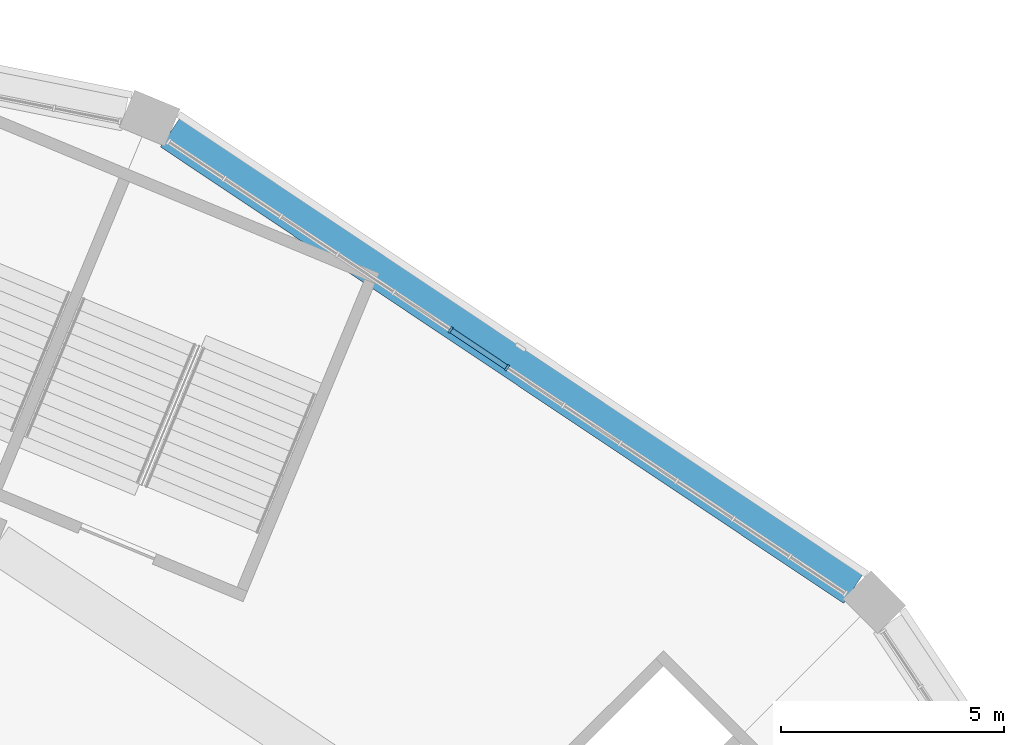
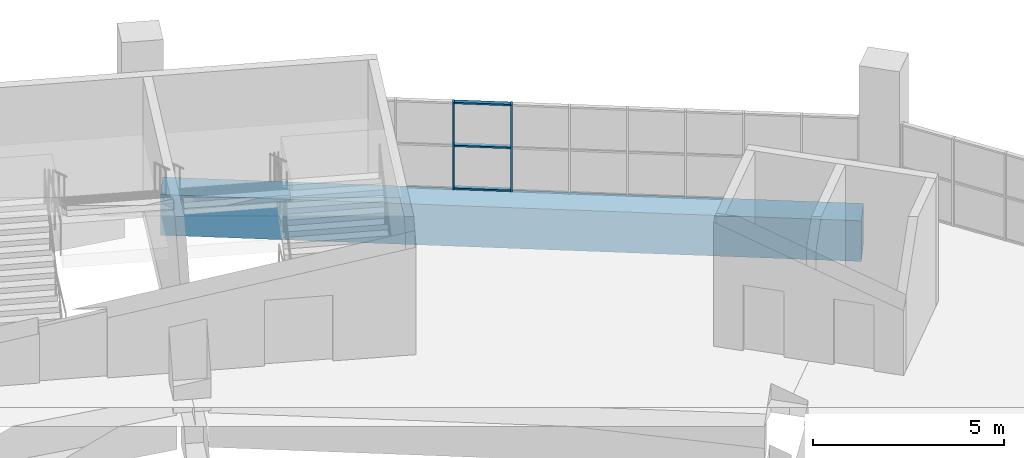
# One storey, part 54 of 199: 5 members, 1 beam, 1 element without a shape of its own.
"""IFC4 building model written with IfcOpenShell, lengths in metres."""

from ifc_helpers import new_model, si_unit, direction, frame, origin, origin_2d, place, context, subcontext, project, spatial, rectangle, extrude, material, material_profile, profile_set, type_object, element, aggregate, save


model = new_model("IFC4")

# Units and contexts
model_context = context("Model", 3, precision=1e-05, world=origin(), true_north=direction((0.0, 1.0)))
body_context = subcontext(model_context, "Body", "Model", "MODEL_VIEW")
ifc_project = project(units=[si_unit("LENGTHUNIT", "METRE"), si_unit("AREAUNIT", "SQUARE_METRE"), si_unit("VOLUMEUNIT", "CUBIC_METRE"), si_unit("PLANEANGLEUNIT", "RADIAN"), si_unit("MASSUNIT", "GRAM", prefix="KILO")], contexts=[model_context])

# Site, building, storey
site_placement = place(None, origin())
site = spatial("IfcSite", under=ifc_project, at=site_placement, CompositionType="ELEMENT")
building_placement = place(site_placement, origin())
building = spatial("IfcBuilding", under=site, at=building_placement, Name="Ogive Plaza Stadium", CompositionType="ELEMENT")
storey_placement = place(building_placement, frame((0.0, 0.0, 9.0)))
storey = spatial("IfcBuildingStorey", under=building, at=storey_placement, Name="L02", CompositionType="ELEMENT", Elevation=9.0)

# Curtain wall, members
ifc_material_1 = material(Name="Bronze-anodised aluminium with laminated glass", Category="aluminium")
curtain_wall_type = type_object("IfcCurtainWallType", Name="Lancet curtain wall", PredefinedType="NOTDEFINED", material=ifc_material_1)
curtain_wall_placement = place(storey_placement, origin())
curtain_wall = element("IfcCurtainWall", 1, at=curtain_wall_placement, inside=storey, type_object=curtain_wall_type, Name="CURTAIN WALL B38 L02", PredefinedType="NOTDEFINED")
ifc_material_2 = material(Name="Bronze-anodised aluminium", Category="aluminium")
ifc_material_profile_1 = material_profile(ifc_material_2, rectangle(XDim=0.14990234375, YDim=0.050048828125, at=origin_2d()), Name="AL 150x50")
ifc_profile_set_1 = profile_set([ifc_material_profile_1], Name="Bronze-anodised aluminium")
member_type_1 = type_object("IfcMemberType", Name="Curtain wall mullion 50x150", PredefinedType="MULLION", material=ifc_profile_set_1)
member_1_placement = place(storey_placement, frame((59.867919921875, 93.9541015625, 0.0), z_axis=(0.0, 0.0, 1.0), x_axis=(0.55557023302, 0.831469612303, 0.0)))
member_1 = element("IfcMember", 2, at=member_1_placement, type_object=member_type_1, Name="CW-B38-L02 mullion 6", PredefinedType="MULLION", context=body_context, shape_type="SweptSolid", body=[
    extrude(rectangle(XDim=0.14990234375, YDim=0.050048828125, at=origin_2d()), origin(), (0.0, 0.0, 1.0), 2.7900390625),
])
member_2_placement = place(storey_placement, frame((61.133544921875, 93.1083984375, 0.0), z_axis=(0.0, 0.0, 1.0), x_axis=(0.55557023302, 0.831469612303, 0.0)))
member_2 = element("IfcMember", 3, at=member_2_placement, type_object=member_type_1, Name="CW-B38-L02 mullion 7", PredefinedType="MULLION", context=body_context, shape_type="SweptSolid", body=[
    extrude(rectangle(XDim=0.14990234375, YDim=0.050048828125, at=origin_2d()), origin(), (0.0, 0.0, 1.0), 2.7900390625),
])
ifc_material_3 = material(Name="Bronze-anodised aluminium", Category="aluminium")
ifc_material_profile_2 = material_profile(ifc_material_3, rectangle(XDim=0.1201171875, YDim=0.050048828125, at=origin_2d()), Name="AL 120x50")
ifc_profile_set_2 = profile_set([ifc_material_profile_2], Name="Bronze-anodised aluminium")
member_type_2 = type_object("IfcMemberType", Name="Curtain wall transom 50x120", PredefinedType="USERDEFINED", material=ifc_profile_set_2)
member_3_placement = place(storey_placement, frame((59.888671875, 93.940185546875, 0.02490234375), z_axis=(0.831488586159, -0.555541835587, 0.0), x_axis=(0.555541835587, 0.831488586159, 0.0)))
member_3 = element("IfcMember", 4, at=member_3_placement, type_object=member_type_2, Name="CW-B38-L02 transom 6.1", ObjectType="TRANSOM", PredefinedType="USERDEFINED", context=body_context, shape_type="SweptSolid", body=[
    extrude(rectangle(XDim=0.1201171875, YDim=0.050048828125, at=origin_2d()), origin(), (0.0, 0.0, 1.0), 1.47216796875),
])
member_4_placement = place(storey_placement, frame((59.888671875, 93.940185546875, 1.39501953125), z_axis=(0.831488586159, -0.555541835587, 0.0), x_axis=(0.555541835587, 0.831488586159, 0.0)))
member_4 = element("IfcMember", 5, at=member_4_placement, type_object=member_type_2, Name="CW-B38-L02 transom 6.2", ObjectType="TRANSOM", PredefinedType="USERDEFINED", context=body_context, shape_type="SweptSolid", body=[
    extrude(rectangle(XDim=0.1201171875, YDim=0.050048828125, at=origin_2d()), origin(), (0.0, 0.0, 1.0), 1.47216796875),
])
member_5_placement = place(storey_placement, frame((59.888671875, 93.940185546875, 2.764892578125), z_axis=(0.831488586159, -0.555541835587, 0.0), x_axis=(0.555541835587, 0.831488586159, 0.0)))
member_5 = element("IfcMember", 6, at=member_5_placement, type_object=member_type_2, Name="CW-B38-L02 transom 6.3", ObjectType="TRANSOM", PredefinedType="USERDEFINED", context=body_context, shape_type="SweptSolid", body=[
    extrude(rectangle(XDim=0.1201171875, YDim=0.050048828125, at=origin_2d()), origin(), (0.0, 0.0, 1.0), 1.47216796875),
])
aggregate(curtain_wall, [member_1, member_2, member_3, member_4, member_5])

# Beam
ifc_material_4 = material(Name="Concrete C40/50", Category="concrete")
ifc_material_profile_3 = material_profile(ifc_material_4, rectangle(XDim=0.800048828125, YDim=1.300048828125, at=origin_2d()), Name="RC 800x1300")
ifc_profile_set_3 = profile_set([ifc_material_profile_3], Name="Concrete C40/50")
beam_type = type_object("IfcBeamType", Name="RC spandrel beam 800x1300", PredefinedType="SPANDREL", material=ifc_profile_set_3)
beam_placement = place(storey_placement, frame((53.600341796875, 98.38232421875, -1.06005859375), z_axis=(0.831477897484, -0.555557833169, 0.0), x_axis=(0.555557833169, 0.831477897484, 0.0)))
element("IfcBeam", 7, at=beam_placement, inside=storey, type_object=beam_type, Name="Ring beam F5 L02 B38", PredefinedType="SPANDREL", context=body_context, shape_type="SweptSolid", body=[
    extrude(rectangle(XDim=0.800048828125, YDim=1.300048828125, at=origin_2d()), origin(), (0.0, 0.0, 1.0), 18.387451171875),
])

save(model, "model.ifc")
